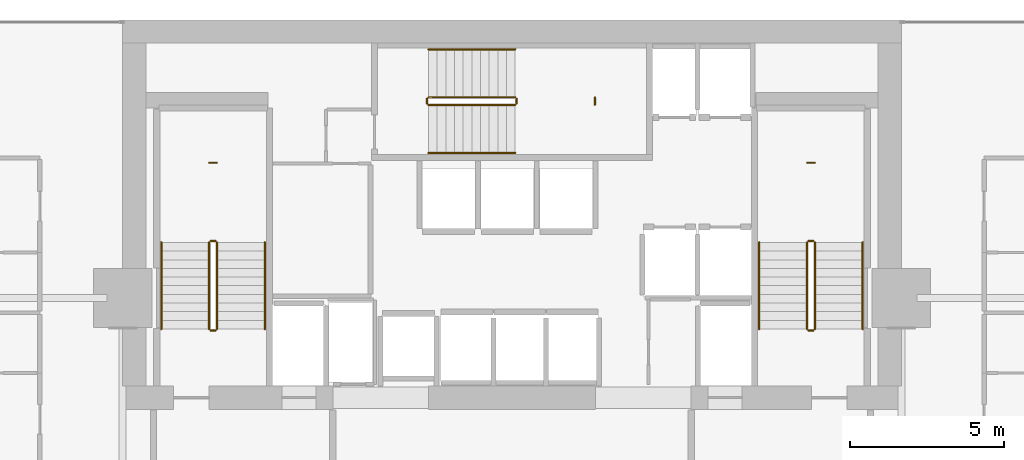
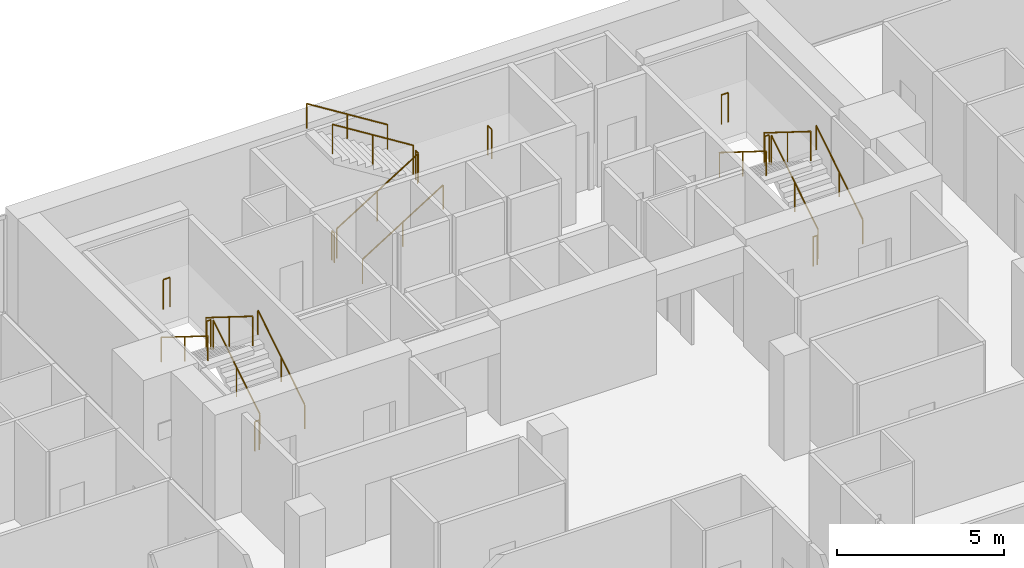
# One storey, part 34 of 34: 21 railings.
"""IFC4 building model written with IfcOpenShell, lengths in metres."""

import ifcopenshell
import ifcopenshell.guid

model = None  # the IFC model being written
_history = None  # IfcOwnerHistory: only IFC2X3 demands one
_inside = {}  # id of a spatial element -> (the spatial element, [elements in it])
_under = {}  # id of a project, library or spatial element -> (it, [spatial elements below it])
_declared = {}  # id of a project -> (the project, [libraries it declares])
_typed = {}  # id of a type object -> (the type object, [elements of that type])
_made_of = {}  # id of a material, layer set ... -> (it, [elements and type objects made of it])


def new_model(schema):
    """Start an empty IFC model of exactly this schema.

    Asked for "IFC4X3", IfcOpenShell would pick the latest addendum, in which some entities
    have other attributes; the version numbers below select the first issue.
    IFC2X3 requires an IfcOwnerHistory on every rooted entity: one is made here for all.
    """
    global model, _history
    if schema == "IFC4X3":
        model = ifcopenshell.file(schema_version=(4, 3, 0, 0))
    else:
        model = ifcopenshell.file(schema=schema)
    _inside.clear()
    _under.clear()
    _declared.clear()
    _typed.clear()
    _made_of.clear()
    _history = None
    if model.schema == "IFC2X3":
        org = make("IfcOrganization", Name="unknown")
        user = make(
            "IfcPersonAndOrganization",
            ThePerson=make("IfcPerson", FamilyName="unknown"),
            TheOrganization=org,
        )
        app = make(
            "IfcApplication",
            ApplicationDeveloper=org,
            Version="unknown",
            ApplicationFullName="unknown",
            ApplicationIdentifier="unknown",
        )
        _history = make(
            "IfcOwnerHistory",
            OwningUser=user,
            OwningApplication=app,
            ChangeAction="ADDED",
            CreationDate=0,
        )
    return model


def make(cls, **values):
    """One entity of the class cls with the attributes given. An attribute that is None is left unset."""
    return model.create_entity(
        cls, **{name: value for name, value in values.items() if value is not None}
    )


def rooted(cls, **values):
    """An entity with a GlobalId (a new one), such as an element, a storey or a relation."""
    return make(cls, GlobalId=ifcopenshell.guid.new(), OwnerHistory=_history, **values)


def si_unit(unit_type, name, prefix=None):
    """IfcSIUnit, for example si_unit("LENGTHUNIT", "METRE", prefix="MILLI")."""
    return make("IfcSIUnit", UnitType=unit_type, Prefix=prefix, Name=name)


def assignment(units):
    """IfcUnitAssignment: the units of a project."""
    return None if units is None else make("IfcUnitAssignment", Units=units)


def point(xyz):
    """IfcCartesianPoint."""
    return None if xyz is None else make("IfcCartesianPoint", Coordinates=xyz)


def direction(xyz):
    """IfcDirection."""
    return None if xyz is None else make("IfcDirection", DirectionRatios=xyz)


def frame(location, z_axis=None, x_axis=None):
    """IfcAxis2Placement3D, a coordinate frame: its origin and axes. An axis left out is left unset."""
    return make(
        "IfcAxis2Placement3D",
        Location=point(location),
        Axis=direction(z_axis),
        RefDirection=direction(x_axis),
    )


def frame_2d(location, x_axis=None):
    """IfcAxis2Placement2D, a coordinate frame in the plane: its origin and x axis."""
    return make(
        "IfcAxis2Placement2D", Location=point(location), RefDirection=direction(x_axis)
    )


def origin():
    """The frame at (0, 0, 0) with its axes left unset."""
    return frame((0.0, 0.0, 0.0))


def origin_2d():
    """The frame at (0, 0) in the plane with its x axis left unset."""
    return frame_2d((0.0, 0.0))


def place(relative_to, where):
    """IfcLocalPlacement: puts the frame where relative to a parent placement (None: the world)."""
    return make(
        "IfcLocalPlacement", PlacementRelTo=relative_to, RelativePlacement=where
    )


def context(
    kind, dimensions, precision=None, world=None, true_north=None, identifier=None
):
    """IfcGeometricRepresentationContext, for example the 3D "Model" context."""
    return make(
        "IfcGeometricRepresentationContext",
        ContextIdentifier=identifier,
        ContextType=kind,
        CoordinateSpaceDimension=dimensions,
        Precision=precision,
        WorldCoordinateSystem=world,
        TrueNorth=true_north,
    )


def subcontext(parent, identifier, kind, view, scale=None):
    """IfcGeometricRepresentationSubContext, for example "Body" below "Model"."""
    return make(
        "IfcGeometricRepresentationSubContext",
        ContextIdentifier=identifier,
        ContextType=kind,
        ParentContext=parent,
        TargetScale=scale,
        TargetView=view,
    )


def project(units=None, contexts=None):
    """IfcProject with its units and contexts."""
    return rooted(
        "IfcProject",
        Name="project",
        RepresentationContexts=contexts,
        UnitsInContext=assignment(units),
    )


def spatial(cls, under=None, at=None, **own):
    """A site, building, storey or space (cls), placed at a placement, below another one or the project."""
    s = rooted(cls, ObjectPlacement=at, **own)
    if under is not None:
        _under.setdefault(under.id(), (under, []))[1].append(s)
    return s


def profile(cls, at=None, kind="AREA", **sizes):
    """A parametric profile (cls). Its sizes go by their IFC names, for example OverallWidth=200.0."""
    return make(cls, ProfileType=kind, Position=at, **sizes)


def circle(**sizes):
    """IfcCircleProfileDef."""
    return profile("IfcCircleProfileDef", **sizes)


def extrude(swept, where, along, depth):
    """IfcExtrudedAreaSolid: the profile swept, set in the frame where, extruded along a direction by depth."""
    return make(
        "IfcExtrudedAreaSolid",
        SweptArea=swept,
        Position=where,
        ExtrudedDirection=direction(along),
        Depth=depth,
    )


def shape(context_of_items, identifier, shape_type, items):
    """IfcShapeRepresentation: the items that make up one representation, for example the "Body"."""
    return make(
        "IfcShapeRepresentation",
        ContextOfItems=context_of_items,
        RepresentationIdentifier=identifier,
        RepresentationType=shape_type,
        Items=items,
    )


def material(Name=None, Category=None):
    """IfcMaterial."""
    return make("IfcMaterial", Name=Name, Category=Category)


def made_of(thing, what):
    """Note that an element or type object is made of a material, layer set ...; save() writes the relation."""
    if what is not None:
        _made_of.setdefault(what.id(), (what, []))[1].append(thing)
    return thing


def type_object(cls, material=None, **own):
    """A type object (cls), such as IfcWallType, which elements share."""
    return made_of(rooted(cls, **own), material)


def element(
    cls,
    number,
    at=None,
    inside=None,
    cuts=None,
    type_object=None,
    material=None,
    context=None,
    identifier="Body",
    shape_type=None,
    held_by="IfcProductDefinitionShape",
    body=None,
    shapes=None,
    **own,
):
    """One element of the class cls, such as IfcWall. Its Tag is "e" and its number.

    at: its placement. inside: the storey or other place that contains it. cuts: it is an
    opening in that element (IfcRelVoidsElement). A single representation is given by context,
    identifier, shape_type and body (its items); several are given by shapes. held_by: the class
    of the entity that holds the representations. save() writes the other relations.
    """
    e = rooted(cls, Tag="e%d" % number, ObjectPlacement=at, **own)
    if body is not None:
        shapes = [shape(context, identifier, shape_type, body)]
    if shapes is not None:
        e.Representation = make(held_by, Representations=shapes)
    if inside is not None:
        _inside.setdefault(inside.id(), (inside, []))[1].append(e)
    if cuts is not None:
        rooted(
            "IfcRelVoidsElement", RelatingBuildingElement=cuts, RelatedOpeningElement=e
        )
    if type_object is not None:
        _typed.setdefault(type_object.id(), (type_object, []))[1].append(e)
    return made_of(e, material)


def aggregate(whole, parts):
    """IfcRelAggregates: a whole, such as a stair, and the parts it consists of."""
    return rooted("IfcRelAggregates", RelatingObject=whole, RelatedObjects=parts)


def save(model, path):
    """Write the relations noted so far, then the file.

    IfcRelAggregates (storeys below a building ...), IfcRelContainedInSpatialStructure (elements
    in a storey), IfcRelDefinesByType, IfcRelAssociatesMaterial and IfcRelDeclares: one each for
    every whole, place, type object, material and project.
    """
    for whole, parts in _under.values():
        aggregate(whole, parts)
    for where, things in _inside.values():
        rooted(
            "IfcRelContainedInSpatialStructure",
            RelatedElements=things,
            RelatingStructure=where,
        )
    for kind, things in _typed.values():
        rooted("IfcRelDefinesByType", RelatedObjects=things, RelatingType=kind)
    for what, things in _made_of.values():
        rooted("IfcRelAssociatesMaterial", RelatedObjects=things, RelatingMaterial=what)
    for by, libraries in _declared.values():
        rooted("IfcRelDeclares", RelatingContext=by, RelatedDefinitions=libraries)
    model.write(path)


model = new_model("IFC4")

# Units and contexts
model_context = context("Model", 3, precision=1e-05, world=origin(), true_north=direction((0.0, 1.0)))
body_context = subcontext(model_context, "Body", "Model", "MODEL_VIEW")
ifc_project = project(units=[si_unit("LENGTHUNIT", "METRE"), si_unit("AREAUNIT", "SQUARE_METRE"), si_unit("VOLUMEUNIT", "CUBIC_METRE"), si_unit("PLANEANGLEUNIT", "RADIAN"), si_unit("MASSUNIT", "GRAM", prefix="KILO")], contexts=[model_context])

# Site, building, storey
site_placement = place(None, origin())
site = spatial("IfcSite", under=ifc_project, at=site_placement, CompositionType="ELEMENT")
building_placement = place(site_placement, origin())
building = spatial("IfcBuilding", under=site, at=building_placement, Name="Maruvema Waterfront Hotel and Observation Tower", CompositionType="ELEMENT")
storey_placement = place(building_placement, frame((0.0, 0.0, 177.449951171875)))
storey = spatial("IfcBuildingStorey", under=building, at=storey_placement, Name="L43", CompositionType="ELEMENT", Elevation=177.449951171875)

# Railings
ifc_material_1 = material(Name="Brushed stainless steel Grade 316", Category="steel")
railing_type_1 = type_object("IfcRailingType", Name="Ramp Continuous Wall Handrail 920 mm", PredefinedType="HANDRAIL", material=ifc_material_1)
railing_1_placement = place(storey_placement, frame((29.800048828125, 44.0, 0.175048828125)))
element("IfcRailing", 1, at=railing_1_placement, inside=storey, type_object=railing_type_1, Name="L43 ST-01 stair handrail 1", PredefinedType="HANDRAIL", context=body_context, shape_type="SweptSolid", body=[
    extrude(circle(Radius=0.02392578125, at=origin_2d()), frame((0.0, 0.0, 0.89599609375), z_axis=(0.0, 0.848002457836, 0.529992293815), x_axis=(-1.0, 0.0, 0.0)), (0.0, 0.0, 1.0), 3.302001953125),
    extrude(circle(Radius=0.02099609375, at=origin_2d()), origin(), (0.0, 0.0, 1.0), 0.871826171875),
    extrude(circle(Radius=0.02099609375, at=origin_2d()), frame((0.0, 1.39990234375, 0.875)), (0.0, 0.0, 1.0), 0.871826171875),
    extrude(circle(Radius=0.02099609375, at=origin_2d()), frame((0.0, 2.800048828125, 1.75)), (0.0, 0.0, 1.0), 0.871826171875),
])
railing_2_placement = place(storey_placement, frame((26.449951171875, 46.800048828125, 2.10009765625)))
element("IfcRailing", 2, at=railing_2_placement, inside=storey, type_object=railing_type_1, Name="L43 ST-01 stair handrail 2", PredefinedType="HANDRAIL", context=body_context, shape_type="SweptSolid", body=[
    extrude(circle(Radius=0.02392578125, at=origin_2d()), frame((0.0, 0.0, 0.89599609375), z_axis=(0.0, -0.848002457836, 0.529992293815), x_axis=(1.0, 0.0, 0.0)), (0.0, 0.0, 1.0), 3.302001953125),
    extrude(circle(Radius=0.02099609375, at=origin_2d()), origin(), (0.0, 0.0, 1.0), 0.871826171875),
    extrude(circle(Radius=0.02099609375, at=origin_2d()), frame((0.0, -1.39990234375, 0.875)), (0.0, 0.0, 1.0), 0.871826171875),
    extrude(circle(Radius=0.02099609375, at=origin_2d()), frame((0.0, -2.800048828125, 1.75)), (0.0, 0.0, 1.0), 0.871826171875),
])
railing_3_placement = place(storey_placement, frame((35.10009765625, 49.699951171875, 0.175048828125)))
element("IfcRailing", 3, at=railing_3_placement, inside=storey, type_object=railing_type_1, Name="L43 ST-02 stair handrail 1", PredefinedType="HANDRAIL", context=body_context, shape_type="SweptSolid", body=[
    extrude(circle(Radius=0.02392578125, at=origin_2d()), frame((0.0, 0.0, 0.89599609375), z_axis=(0.847981687118, 0.0, 0.530025526095), x_axis=(0.0, 1.0, 0.0)), (0.0, 0.0, 1.0), 3.3017578125),
    extrude(circle(Radius=0.02099609375, at=origin_2d()), origin(), (0.0, 0.0, 1.0), 0.871826171875),
    extrude(circle(Radius=0.02099609375, at=origin_2d()), frame((1.39990234375, 0.0, 0.875)), (0.0, 0.0, 1.0), 0.871826171875),
    extrude(circle(Radius=0.02099609375, at=origin_2d()), frame((2.7998046875, 0.0, 1.75)), (0.0, 0.0, 1.0), 0.871826171875),
])
railing_4_placement = place(storey_placement, frame((37.89990234375, 53.050048828125, 2.10009765625)))
element("IfcRailing", 4, at=railing_4_placement, inside=storey, type_object=railing_type_1, Name="L43 ST-02 stair handrail 2", PredefinedType="HANDRAIL", context=body_context, shape_type="SweptSolid", body=[
    extrude(circle(Radius=0.02392578125, at=origin_2d()), frame((0.0, 0.0, 0.89599609375), z_axis=(-0.847981687118, 0.0, 0.530025526095), x_axis=(0.0, -1.0, 0.0)), (0.0, 0.0, 1.0), 3.3017578125),
    extrude(circle(Radius=0.02099609375, at=origin_2d()), origin(), (0.0, 0.0, 1.0), 0.871826171875),
    extrude(circle(Radius=0.02099609375, at=origin_2d()), frame((-1.39990234375, 0.0, 0.875)), (0.0, 0.0, 1.0), 0.871826171875),
    extrude(circle(Radius=0.02099609375, at=origin_2d()), frame((-2.7998046875, 0.0, 1.75)), (0.0, 0.0, 1.0), 0.871826171875),
])
railing_5_placement = place(storey_placement, frame((49.14990234375, 44.0, 0.175048828125)))
element("IfcRailing", 5, at=railing_5_placement, inside=storey, type_object=railing_type_1, Name="L43 ST-03 stair handrail 1", PredefinedType="HANDRAIL", context=body_context, shape_type="SweptSolid", body=[
    extrude(circle(Radius=0.02392578125, at=origin_2d()), frame((0.0, 0.0, 0.89599609375), z_axis=(0.0, 0.848002457836, 0.529992293815), x_axis=(-1.0, 0.0, 0.0)), (0.0, 0.0, 1.0), 3.302001953125),
    extrude(circle(Radius=0.02099609375, at=origin_2d()), origin(), (0.0, 0.0, 1.0), 0.871826171875),
    extrude(circle(Radius=0.02099609375, at=origin_2d()), frame((0.0, 1.39990234375, 0.875)), (0.0, 0.0, 1.0), 0.871826171875),
    extrude(circle(Radius=0.02099609375, at=origin_2d()), frame((0.0, 2.800048828125, 1.75)), (0.0, 0.0, 1.0), 0.871826171875),
])
railing_6_placement = place(storey_placement, frame((45.800048828125, 46.800048828125, 2.10009765625)))
element("IfcRailing", 6, at=railing_6_placement, inside=storey, type_object=railing_type_1, Name="L43 ST-03 stair handrail 2", PredefinedType="HANDRAIL", context=body_context, shape_type="SweptSolid", body=[
    extrude(circle(Radius=0.02392578125, at=origin_2d()), frame((0.0, 0.0, 0.89599609375), z_axis=(0.0, -0.848002457836, 0.529992293815), x_axis=(1.0, 0.0, 0.0)), (0.0, 0.0, 1.0), 3.302001953125),
    extrude(circle(Radius=0.02099609375, at=origin_2d()), origin(), (0.0, 0.0, 1.0), 0.871826171875),
    extrude(circle(Radius=0.02099609375, at=origin_2d()), frame((0.0, -1.39990234375, 0.875)), (0.0, 0.0, 1.0), 0.871826171875),
    extrude(circle(Radius=0.02099609375, at=origin_2d()), frame((0.0, -2.800048828125, 1.75)), (0.0, 0.0, 1.0), 0.871826171875),
])
ifc_material_2 = material(Name="Brushed stainless steel Grade 316", Category="steel")
railing_type_2 = type_object("IfcRailingType", Name="Ramp and Terrace Guard Balustrade 1100 mm", PredefinedType="BALUSTRADE", material=ifc_material_2)
railing_7_placement = place(storey_placement, frame((28.25, 44.0, 0.175048828125)))
element("IfcRailing", 7, at=railing_7_placement, inside=storey, type_object=railing_type_2, Name="L43 ST-01 stair guard 1", PredefinedType="BALUSTRADE", context=body_context, shape_type="SweptSolid", body=[
    extrude(circle(Radius=0.02392578125, at=origin_2d()), frame((0.0, 0.0, 1.076171875), z_axis=(0.0, 0.848002457836, 0.529992293815), x_axis=(-1.0, 0.0, 0.0)), (0.0, 0.0, 1.0), 3.302001953125),
    extrude(circle(Radius=0.02099609375, at=origin_2d()), origin(), (0.0, 0.0, 1.0), 1.052001953125),
    extrude(circle(Radius=0.02099609375, at=origin_2d()), frame((0.0, 1.39990234375, 0.875)), (0.0, 0.0, 1.0), 1.052001953125),
    extrude(circle(Radius=0.02099609375, at=origin_2d()), frame((0.0, 2.800048828125, 1.75)), (0.0, 0.0, 1.0), 1.052001953125),
])
railing_8_placement = place(storey_placement, frame((28.199951171875, 46.85009765625, 1.925048828125)))
element("IfcRailing", 8, at=railing_8_placement, inside=storey, type_object=railing_type_2, Name="L43 ST-01 stair guard 2", PredefinedType="BALUSTRADE", context=body_context, shape_type="SweptSolid", body=[
    extrude(circle(Radius=0.02392578125, at=origin_2d()), frame((0.0, 0.0, 1.076171875), z_axis=(-1.0, 0.0, 0.0), x_axis=(0.0, -1.0, 0.0)), (0.0, 0.0, 1.0), 0.14990234375),
    extrude(circle(Radius=0.02099609375, at=origin_2d()), origin(), (0.0, 0.0, 1.0), 1.052001953125),
    extrude(circle(Radius=0.02099609375, at=origin_2d()), frame((-0.14990234375, 0.0, 0.0)), (0.0, 0.0, 1.0), 1.052001953125),
])
railing_9_placement = place(storey_placement, frame((28.0, 46.800048828125, 2.10009765625)))
element("IfcRailing", 9, at=railing_9_placement, inside=storey, type_object=railing_type_2, Name="L43 ST-01 stair guard 3", PredefinedType="BALUSTRADE", context=body_context, shape_type="SweptSolid", body=[
    extrude(circle(Radius=0.02392578125, at=origin_2d()), frame((0.0, 0.0, 1.076171875), z_axis=(0.0, -0.848002457836, 0.529992293815), x_axis=(1.0, 0.0, 0.0)), (0.0, 0.0, 1.0), 3.302001953125),
    extrude(circle(Radius=0.02099609375, at=origin_2d()), origin(), (0.0, 0.0, 1.0), 1.052001953125),
    extrude(circle(Radius=0.02099609375, at=origin_2d()), frame((0.0, -1.39990234375, 0.875)), (0.0, 0.0, 1.0), 1.052001953125),
    extrude(circle(Radius=0.02099609375, at=origin_2d()), frame((0.0, -2.800048828125, 1.75)), (0.0, 0.0, 1.0), 1.052001953125),
])
railing_10_placement = place(storey_placement, frame((28.199951171875, 43.949951171875, 0.0)))
element("IfcRailing", 10, at=railing_10_placement, inside=storey, type_object=railing_type_2, Name="L43 ST-01 stair guard 4", PredefinedType="BALUSTRADE", context=body_context, shape_type="SweptSolid", body=[
    extrude(circle(Radius=0.02392578125, at=origin_2d()), frame((0.0, 0.0, 1.076171875), z_axis=(-1.0, 0.0, 0.0), x_axis=(0.0, -1.0, 0.0)), (0.0, 0.0, 1.0), 0.14990234375),
    extrude(circle(Radius=0.02099609375, at=origin_2d()), origin(), (0.0, 0.0, 1.0), 1.052001953125),
    extrude(circle(Radius=0.02099609375, at=origin_2d()), frame((-0.14990234375, 0.0, 0.0)), (0.0, 0.0, 1.0), 1.052001953125),
])
railing_11_placement = place(storey_placement, frame((28.239990234375, 49.3798828125, 1.925048828125)))
element("IfcRailing", 11, at=railing_11_placement, inside=storey, type_object=railing_type_2, Name="L43 ST-01 Half-Landing Slot Guard", PredefinedType="BALUSTRADE", context=body_context, shape_type="SweptSolid", body=[
    extrude(circle(Radius=0.02392578125, at=origin_2d()), frame((0.0, 0.0, 1.076171875), z_axis=(-1.0, 0.0, 0.0), x_axis=(0.0, -1.0, 0.0)), (0.0, 0.0, 1.0), 0.22998046875),
    extrude(circle(Radius=0.02099609375, at=origin_2d()), origin(), (0.0, 0.0, 1.0), 1.052001953125),
    extrude(circle(Radius=0.02099609375, at=origin_2d()), frame((-0.22998046875, 0.0, 0.0)), (0.0, 0.0, 1.0), 1.052001953125),
])
railing_12_placement = place(storey_placement, frame((35.10009765625, 51.25, 0.175048828125)))
element("IfcRailing", 12, at=railing_12_placement, inside=storey, type_object=railing_type_2, Name="L43 ST-02 stair guard 1", PredefinedType="BALUSTRADE", context=body_context, shape_type="SweptSolid", body=[
    extrude(circle(Radius=0.02392578125, at=origin_2d()), frame((0.0, 0.0, 1.076171875), z_axis=(0.847981687118, 0.0, 0.530025526095), x_axis=(0.0, 1.0, 0.0)), (0.0, 0.0, 1.0), 3.3017578125),
    extrude(circle(Radius=0.02099609375, at=origin_2d()), origin(), (0.0, 0.0, 1.0), 1.052001953125),
    extrude(circle(Radius=0.02099609375, at=origin_2d()), frame((1.39990234375, 0.0, 0.875)), (0.0, 0.0, 1.0), 1.052001953125),
    extrude(circle(Radius=0.02099609375, at=origin_2d()), frame((2.7998046875, 0.0, 1.75)), (0.0, 0.0, 1.0), 1.052001953125),
])
railing_13_placement = place(storey_placement, frame((37.949951171875, 51.300048828125, 1.925048828125)))
element("IfcRailing", 13, at=railing_13_placement, inside=storey, type_object=railing_type_2, Name="L43 ST-02 stair guard 2", PredefinedType="BALUSTRADE", context=body_context, shape_type="SweptSolid", body=[
    extrude(circle(Radius=0.02392578125, at=origin_2d()), frame((0.0, 0.0, 1.076171875), z_axis=(0.0, 1.0, 0.0), x_axis=(-1.0, 0.0, 0.0)), (0.0, 0.0, 1.0), 0.14990234375),
    extrude(circle(Radius=0.02099609375, at=origin_2d()), origin(), (0.0, 0.0, 1.0), 1.052001953125),
    extrude(circle(Radius=0.02099609375, at=origin_2d()), frame((0.0, 0.14990234375, 0.0)), (0.0, 0.0, 1.0), 1.052001953125),
])
railing_14_placement = place(storey_placement, frame((37.89990234375, 51.5, 2.10009765625)))
element("IfcRailing", 14, at=railing_14_placement, inside=storey, type_object=railing_type_2, Name="L43 ST-02 stair guard 3", PredefinedType="BALUSTRADE", context=body_context, shape_type="SweptSolid", body=[
    extrude(circle(Radius=0.02392578125, at=origin_2d()), frame((0.0, 0.0, 1.076171875), z_axis=(-0.847981687118, 0.0, 0.530025526095), x_axis=(0.0, -1.0, 0.0)), (0.0, 0.0, 1.0), 3.3017578125),
    extrude(circle(Radius=0.02099609375, at=origin_2d()), origin(), (0.0, 0.0, 1.0), 1.052001953125),
    extrude(circle(Radius=0.02099609375, at=origin_2d()), frame((-1.39990234375, 0.0, 0.875)), (0.0, 0.0, 1.0), 1.052001953125),
    extrude(circle(Radius=0.02099609375, at=origin_2d()), frame((-2.7998046875, 0.0, 1.75)), (0.0, 0.0, 1.0), 1.052001953125),
])
railing_15_placement = place(storey_placement, frame((35.050048828125, 51.300048828125, 0.0)))
element("IfcRailing", 15, at=railing_15_placement, inside=storey, type_object=railing_type_2, Name="L43 ST-02 stair guard 4", PredefinedType="BALUSTRADE", context=body_context, shape_type="SweptSolid", body=[
    extrude(circle(Radius=0.02392578125, at=origin_2d()), frame((0.0, 0.0, 1.076171875), z_axis=(0.0, 1.0, 0.0), x_axis=(-1.0, 0.0, 0.0)), (0.0, 0.0, 1.0), 0.14990234375),
    extrude(circle(Radius=0.02099609375, at=origin_2d()), origin(), (0.0, 0.0, 1.0), 1.052001953125),
    extrude(circle(Radius=0.02099609375, at=origin_2d()), frame((0.0, 0.14990234375, 0.0)), (0.0, 0.0, 1.0), 1.052001953125),
])
railing_16_placement = place(storey_placement, frame((40.47998046875, 51.260009765625, 1.925048828125)))
element("IfcRailing", 16, at=railing_16_placement, inside=storey, type_object=railing_type_2, Name="L43 ST-02 Half-Landing Slot Guard", PredefinedType="BALUSTRADE", context=body_context, shape_type="SweptSolid", body=[
    extrude(circle(Radius=0.02392578125, at=origin_2d()), frame((0.0, 0.0, 1.076171875), z_axis=(0.0, 1.0, 0.0), x_axis=(-1.0, 0.0, 0.0)), (0.0, 0.0, 1.0), 0.22998046875),
    extrude(circle(Radius=0.02099609375, at=origin_2d()), origin(), (0.0, 0.0, 1.0), 1.052001953125),
    extrude(circle(Radius=0.02099609375, at=origin_2d()), frame((0.0, 0.22998046875, 0.0)), (0.0, 0.0, 1.0), 1.052001953125),
])
railing_17_placement = place(storey_placement, frame((47.60009765625, 44.0, 0.175048828125)))
element("IfcRailing", 17, at=railing_17_placement, inside=storey, type_object=railing_type_2, Name="L43 ST-03 stair guard 1", PredefinedType="BALUSTRADE", context=body_context, shape_type="SweptSolid", body=[
    extrude(circle(Radius=0.02392578125, at=origin_2d()), frame((0.0, 0.0, 1.076171875), z_axis=(0.0, 0.848002457836, 0.529992293815), x_axis=(-1.0, 0.0, 0.0)), (0.0, 0.0, 1.0), 3.302001953125),
    extrude(circle(Radius=0.02099609375, at=origin_2d()), origin(), (0.0, 0.0, 1.0), 1.052001953125),
    extrude(circle(Radius=0.02099609375, at=origin_2d()), frame((0.0, 1.39990234375, 0.875)), (0.0, 0.0, 1.0), 1.052001953125),
    extrude(circle(Radius=0.02099609375, at=origin_2d()), frame((0.0, 2.800048828125, 1.75)), (0.0, 0.0, 1.0), 1.052001953125),
])
railing_18_placement = place(storey_placement, frame((47.550048828125, 46.85009765625, 1.925048828125)))
element("IfcRailing", 18, at=railing_18_placement, inside=storey, type_object=railing_type_2, Name="L43 ST-03 stair guard 2", PredefinedType="BALUSTRADE", context=body_context, shape_type="SweptSolid", body=[
    extrude(circle(Radius=0.02392578125, at=origin_2d()), frame((0.0, 0.0, 1.076171875), z_axis=(-1.0, 0.0, 0.0), x_axis=(0.0, -1.0, 0.0)), (0.0, 0.0, 1.0), 0.150146484375),
    extrude(circle(Radius=0.02099609375, at=origin_2d()), origin(), (0.0, 0.0, 1.0), 1.052001953125),
    extrude(circle(Radius=0.02099609375, at=origin_2d()), frame((-0.150146484375, 0.0, 0.0)), (0.0, 0.0, 1.0), 1.052001953125),
])
railing_19_placement = place(storey_placement, frame((47.35009765625, 46.800048828125, 2.10009765625)))
element("IfcRailing", 19, at=railing_19_placement, inside=storey, type_object=railing_type_2, Name="L43 ST-03 stair guard 3", PredefinedType="BALUSTRADE", context=body_context, shape_type="SweptSolid", body=[
    extrude(circle(Radius=0.02392578125, at=origin_2d()), frame((0.0, 0.0, 1.076171875), z_axis=(0.0, -0.848002457836, 0.529992293815), x_axis=(1.0, 0.0, 0.0)), (0.0, 0.0, 1.0), 3.302001953125),
    extrude(circle(Radius=0.02099609375, at=origin_2d()), origin(), (0.0, 0.0, 1.0), 1.052001953125),
    extrude(circle(Radius=0.02099609375, at=origin_2d()), frame((0.0, -1.39990234375, 0.875)), (0.0, 0.0, 1.0), 1.052001953125),
    extrude(circle(Radius=0.02099609375, at=origin_2d()), frame((0.0, -2.800048828125, 1.75)), (0.0, 0.0, 1.0), 1.052001953125),
])
railing_20_placement = place(storey_placement, frame((47.550048828125, 43.949951171875, 0.0)))
element("IfcRailing", 20, at=railing_20_placement, inside=storey, type_object=railing_type_2, Name="L43 ST-03 stair guard 4", PredefinedType="BALUSTRADE", context=body_context, shape_type="SweptSolid", body=[
    extrude(circle(Radius=0.02392578125, at=origin_2d()), frame((0.0, 0.0, 1.076171875), z_axis=(-1.0, 0.0, 0.0), x_axis=(0.0, -1.0, 0.0)), (0.0, 0.0, 1.0), 0.150146484375),
    extrude(circle(Radius=0.02099609375, at=origin_2d()), origin(), (0.0, 0.0, 1.0), 1.052001953125),
    extrude(circle(Radius=0.02099609375, at=origin_2d()), frame((-0.150146484375, 0.0, 0.0)), (0.0, 0.0, 1.0), 1.052001953125),
])
railing_21_placement = place(storey_placement, frame((47.590087890625, 49.3798828125, 1.925048828125)))
element("IfcRailing", 21, at=railing_21_placement, inside=storey, type_object=railing_type_2, Name="L43 ST-03 Half-Landing Slot Guard", PredefinedType="BALUSTRADE", context=body_context, shape_type="SweptSolid", body=[
    extrude(circle(Radius=0.02392578125, at=origin_2d()), frame((0.0, 0.0, 1.076171875), z_axis=(-1.0, 0.0, 0.0), x_axis=(0.0, -1.0, 0.0)), (0.0, 0.0, 1.0), 0.22998046875),
    extrude(circle(Radius=0.02099609375, at=origin_2d()), origin(), (0.0, 0.0, 1.0), 1.052001953125),
    extrude(circle(Radius=0.02099609375, at=origin_2d()), frame((-0.22998046875, 0.0, 0.0)), (0.0, 0.0, 1.0), 1.052001953125),
])

save(model, "model.ifc")
